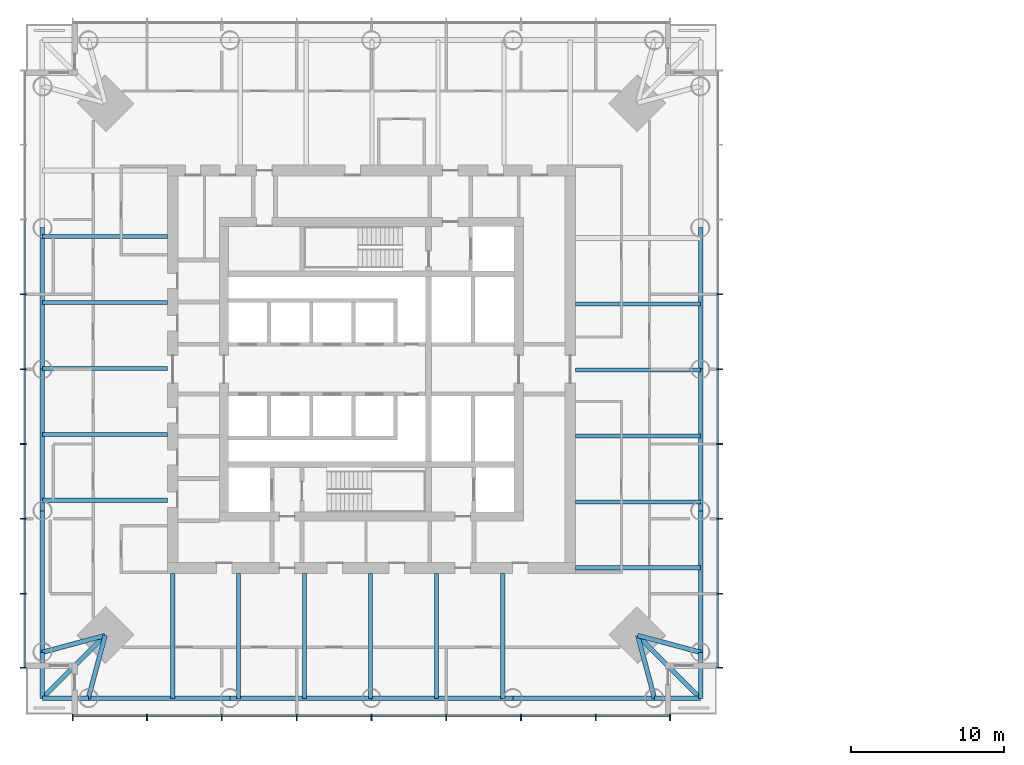
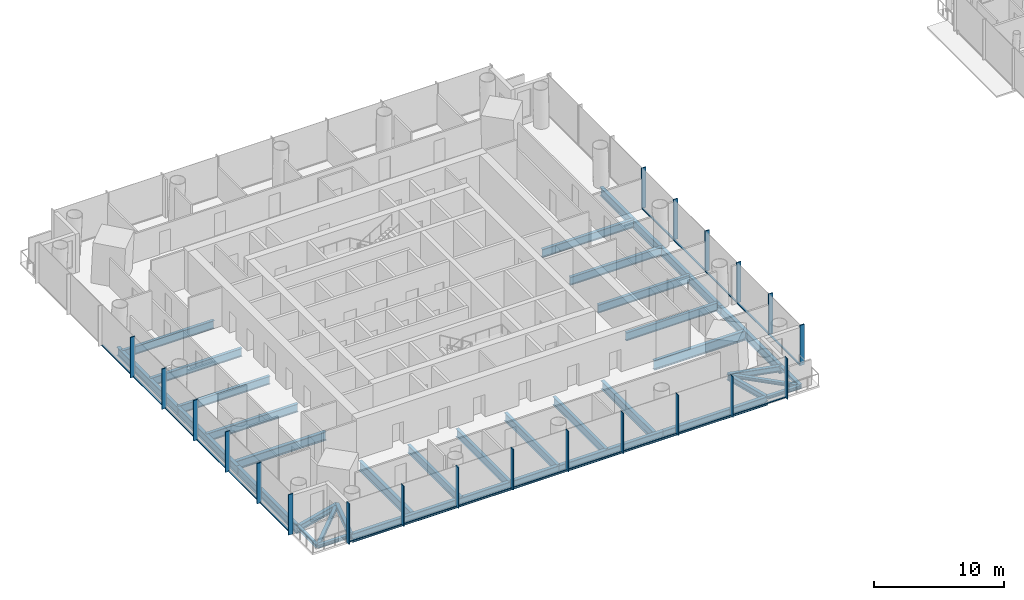
# One storey, part 2 of 20: 40 members, 36 beams, 3 elements without a shape of their own.
"""IFC4 building model written with IfcOpenShell, lengths in metres."""

from ifc_helpers import new_model, si_unit, direction, frame, origin, origin_2d, place, context, subcontext, project, spatial, rectangle, i_section, extrude, material, material_profile, profile_set, type_object, element, aggregate, save


model = new_model("IFC4")

# Units and contexts
model_context = context("Model", 3, precision=1e-05, world=origin(), true_north=direction((0.0, 1.0)))
body_context = subcontext(model_context, "Body", "Model", "MODEL_VIEW")
ifc_project = project(units=[si_unit("LENGTHUNIT", "METRE"), si_unit("AREAUNIT", "SQUARE_METRE"), si_unit("VOLUMEUNIT", "CUBIC_METRE"), si_unit("PLANEANGLEUNIT", "RADIAN"), si_unit("MASSUNIT", "GRAM", prefix="KILO")], contexts=[model_context])

# Site, building, storey
site_placement = place(None, origin())
site = spatial("IfcSite", under=ifc_project, at=site_placement, CompositionType="ELEMENT")
building_placement = place(site_placement, origin())
building = spatial("IfcBuilding", under=site, at=building_placement, Name="Ostroluk Exchange", CompositionType="ELEMENT")
storey_placement = place(building_placement, frame((0.0, 0.0, 100.800048828125)))
storey = spatial("IfcBuildingStorey", under=building, at=storey_placement, Name="L25", CompositionType="ELEMENT", Elevation=100.800048828125)

# Beams
ifc_material_1 = material(Name="Steel S355", Category="steel")
ifc_material_profile_1 = material_profile(ifc_material_1, i_section(OverallWidth=0.300048828125, OverallDepth=0.300048828125, WebThickness=0.010986328125, FlangeThickness=0.01904296875, FilletRadius=0.027099609375, at=origin_2d()), Name="HEB 300")
ifc_profile_set_1 = profile_set([ifc_material_profile_1], Name="Steel S355")
beam_type_1 = type_object("IfcBeamType", Name="Balcony beam HEB 300", PredefinedType="BEAM", material=ifc_profile_set_1)
for number, where, z_axis, x_axis, name in (
    (1, (23.550048828125, 27.550048828125, -0.330078125), (0.0, -1.0, 0.0), (1.0, 0.0, 0.0), "T1 west balcony beam a"),
    (2, (26.550048828125, 24.550048828125, -0.330078125), (-1.0, 0.0, 0.0), (0.0, -1.0, 0.0), "T1 west balcony beam b"),
):
    element("IfcBeam", number, at=place(storey_placement, frame(where, z_axis=z_axis, x_axis=x_axis)), inside=storey, type_object=beam_type_1, Name=name, PredefinedType="BEAM", context=body_context, shape_type="SweptSolid", body=[
        extrude(i_section(OverallWidth=0.300048828125, OverallDepth=0.300048828125, WebThickness=0.010986328125, FlangeThickness=0.01904296875, FilletRadius=0.027099609375, at=origin_2d()), origin(), (0.0, 0.0, 1.0), 3.0),
    ])
beam_1_placement = place(storey_placement, frame((27.64990234375, 28.64990234375, -0.330078125), z_axis=(-0.707106781187, -0.707106781187, 0.0), x_axis=(0.707106781187, -0.707106781187, 0.0)))
element("IfcBeam", 3, at=beam_1_placement, inside=storey, type_object=beam_type_1, Name="T1 west balcony beam c", PredefinedType="BEAM", context=body_context, shape_type="SweptSolid", body=[
    extrude(i_section(OverallWidth=0.300048828125, OverallDepth=0.300048828125, WebThickness=0.010986328125, FlangeThickness=0.01904296875, FilletRadius=0.027099609375, at=origin_2d()), origin(), (0.0, 0.0, 1.0), 5.798095703125),
])
for number, where, z_axis, x_axis, name in (
    (4, (63.449951171875, 24.550048828125, -0.330078125), (1.0, 0.0, 0.0), (0.0, 1.0, 0.0), "T1 south balcony beam a"),
    (5, (66.449951171875, 27.550048828125, -0.330078125), (0.0, -1.0, 0.0), (1.0, 0.0, 0.0), "T1 south balcony beam b"),
):
    element("IfcBeam", number, at=place(storey_placement, frame(where, z_axis=z_axis, x_axis=x_axis)), inside=storey, type_object=beam_type_1, Name=name, PredefinedType="BEAM", context=body_context, shape_type="SweptSolid", body=[
        extrude(i_section(OverallWidth=0.300048828125, OverallDepth=0.300048828125, WebThickness=0.010986328125, FlangeThickness=0.01904296875, FilletRadius=0.027099609375, at=origin_2d()), origin(), (0.0, 0.0, 1.0), 3.0),
    ])
beam_2_placement = place(storey_placement, frame((62.35009765625, 28.64990234375, -0.330078125), z_axis=(0.707106781187, -0.707106781187, 0.0), x_axis=(0.707106781187, 0.707106781187, 0.0)))
element("IfcBeam", 6, at=beam_2_placement, inside=storey, type_object=beam_type_1, Name="T1 south balcony beam c", PredefinedType="BEAM", context=body_context, shape_type="SweptSolid", body=[
    extrude(i_section(OverallWidth=0.300048828125, OverallDepth=0.300048828125, WebThickness=0.010986328125, FlangeThickness=0.01904296875, FilletRadius=0.027099609375, at=origin_2d()), origin(), (0.0, 0.0, 1.0), 5.798095703125),
])
ifc_material_2 = material(Name="Steel S355", Category="steel")
ifc_material_profile_2 = material_profile(ifc_material_2, i_section(OverallWidth=0.300048828125, OverallDepth=0.550048828125, WebThickness=0.014892578125, FlangeThickness=0.029052734375, FilletRadius=0.027099609375, at=origin_2d()), Name="HEB 550")
ifc_profile_set_2 = profile_set([ifc_material_profile_2], Name="Steel S355")
beam_type_2 = type_object("IfcBeamType", Name="Corner edge beam HEB 550", PredefinedType="SPANDREL", material=ifc_profile_set_2)
for number, where, z_axis, x_axis, name in (
    (7, (27.64990234375, 28.64990234375, -0.455078125), (-0.965849156574, -0.259105011038, 0.0), (0.259105011038, -0.965849156574, 0.0), "T1 west corner edge beam a"),
    (8, (27.64990234375, 28.64990234375, -0.455078125), (-0.259105011038, -0.965849156574, 0.0), (0.965849156574, -0.259105011038, 0.0), "T1 west corner edge beam b"),
    (9, (62.35009765625, 28.64990234375, -0.455078125), (0.259105011038, -0.965849156574, 0.0), (0.965849156574, 0.259105011038, 0.0), "T1 south corner edge beam a"),
    (10, (62.35009765625, 28.64990234375, -0.455078125), (0.965849156574, -0.259105011038, 0.0), (0.259105011038, 0.965849156574, 0.0), "T1 south corner edge beam b"),
):
    element("IfcBeam", number, at=place(storey_placement, frame(where, z_axis=z_axis, x_axis=x_axis)), inside=storey, type_object=beam_type_2, Name=name, PredefinedType="SPANDREL", context=body_context, shape_type="SweptSolid", body=[
        extrude(i_section(OverallWidth=0.300048828125, OverallDepth=0.550048828125, WebThickness=0.014892578125, FlangeThickness=0.029052734375, FilletRadius=0.027099609375, at=origin_2d()), origin(), (0.0, 0.0, 1.0), 4.244873046875),
    ])
ifc_material_3 = material(Name="Steel S355", Category="steel")
ifc_material_profile_3 = material_profile(ifc_material_3, i_section(OverallWidth=0.302978515625, OverallDepth=0.81396484375, WebThickness=0.02099609375, FlangeThickness=0.0400390625, FilletRadius=0.030029296875, at=origin_2d()), Name="HEM 800")
ifc_profile_set_3 = profile_set([ifc_material_profile_3], Name="Steel S355")
beam_type_3 = type_object("IfcBeamType", Name="Floor beam HEM 800", PredefinedType="BEAM", material=ifc_profile_set_3)
for number, where, z_axis, x_axis, name in (
    (11, (31.699951171875, 37.449951171875, -0.587158203125), (-1.0, 0.0, 0.0), (0.0, -1.0, 0.0), "T1 west floor beam 5"),
    (12, (53.550048828125, 32.699951171875, -0.587158203125), (0.0, -1.0, 0.0), (1.0, 0.0, 0.0), "T1 south floor beam 5"),
):
    element("IfcBeam", number, at=place(storey_placement, frame(where, z_axis=z_axis, x_axis=x_axis)), inside=storey, type_object=beam_type_3, Name=name, PredefinedType="BEAM", context=body_context, shape_type="SweptSolid", body=[
        extrude(i_section(OverallWidth=0.302978515625, OverallDepth=0.81396484375, WebThickness=0.02099609375, FlangeThickness=0.0400390625, FilletRadius=0.030029296875, at=origin_2d()), origin(), (0.0, 0.0, 1.0), 8.14990234375),
    ])
ifc_material_4 = material(Name="Steel S355", Category="steel")
ifc_material_profile_4 = material_profile(ifc_material_4, i_section(OverallWidth=0.26708984375, OverallDepth=0.761962890625, WebThickness=0.014404296875, FlangeThickness=0.021484375, FilletRadius=0.01708984375, at=origin_2d()), Name="IPE 750x173")
ifc_profile_set_4 = profile_set([ifc_material_profile_4], Name="Steel S355")
beam_type_4 = type_object("IfcBeamType", Name="Floor beam IPE 750x173", PredefinedType="BEAM", material=ifc_profile_set_4)
for number, where, z_axis, x_axis, name in (
    (13, (58.300048828125, 37.35009765625, -0.56103515625), (1.0, 0.0, 0.0), (0.0, 1.0, 0.0), "T1 east floor beam 1"),
    (14, (58.300048828125, 41.64990234375, -0.56103515625), (1.0, 0.0, 0.0), (0.0, 1.0, 0.0), "T1 east floor beam 2"),
    (15, (58.300048828125, 45.949951171875, -0.56103515625), (1.0, 0.0, 0.0), (0.0, 1.0, 0.0), "T1 east floor beam 3"),
    (16, (58.300048828125, 50.25, -0.56103515625), (1.0, 0.0, 0.0), (0.0, 1.0, 0.0), "T1 east floor beam 4"),
    (17, (31.699951171875, 54.64990234375, -0.56103515625), (-1.0, 0.0, 0.0), (0.0, -1.0, 0.0), "T1 west floor beam 1"),
    (18, (31.699951171875, 50.35009765625, -0.56103515625), (-1.0, 0.0, 0.0), (0.0, -1.0, 0.0), "T1 west floor beam 2"),
    (19, (31.699951171875, 46.050048828125, -0.56103515625), (-1.0, 0.0, 0.0), (0.0, -1.0, 0.0), "T1 west floor beam 3"),
    (20, (31.699951171875, 41.75, -0.56103515625), (-1.0, 0.0, 0.0), (0.0, -1.0, 0.0), "T1 west floor beam 4"),
    (21, (36.35009765625, 32.699951171875, -0.56103515625), (0.0, -1.0, 0.0), (1.0, 0.0, 0.0), "T1 south floor beam 1"),
    (22, (40.64990234375, 32.699951171875, -0.56103515625), (0.0, -1.0, 0.0), (1.0, 0.0, 0.0), "T1 south floor beam 2"),
    (23, (44.949951171875, 32.699951171875, -0.56103515625), (0.0, -1.0, 0.0), (1.0, 0.0, 0.0), "T1 south floor beam 3"),
    (24, (49.25, 32.699951171875, -0.56103515625), (0.0, -1.0, 0.0), (1.0, 0.0, 0.0), "T1 south floor beam 4"),
):
    element("IfcBeam", number, at=place(storey_placement, frame(where, z_axis=z_axis, x_axis=x_axis)), inside=storey, type_object=beam_type_4, Name=name, PredefinedType="BEAM", context=body_context, shape_type="SweptSolid", body=[
        extrude(i_section(OverallWidth=0.26708984375, OverallDepth=0.761962890625, WebThickness=0.014404296875, FlangeThickness=0.021484375, FilletRadius=0.01708984375, at=origin_2d()), origin(), (0.0, 0.0, 1.0), 8.14990234375),
    ])
ifc_material_5 = material(Name="Steel S355", Category="steel")
ifc_material_profile_5 = material_profile(ifc_material_5, i_section(OverallWidth=0.300048828125, OverallDepth=0.89990234375, WebThickness=0.0185546875, FlangeThickness=0.034912109375, FilletRadius=0.030029296875, at=origin_2d()), Name="HEB 900")
ifc_profile_set_5 = profile_set([ifc_material_profile_5], Name="Steel S355")
beam_type_5 = type_object("IfcBeamType", Name="Girder HEB 900", PredefinedType="BEAM", material=ifc_profile_set_5)
for number, where, z_axis, x_axis, name in (
    (25, (32.050048828125, 32.699951171875, -0.630126953125), (0.0, -1.0, 0.0), (1.0, 0.0, 0.0), "T1 west girder"),
    (26, (58.300048828125, 33.050048828125, -0.630126953125), (1.0, 0.0, 0.0), (0.0, 1.0, 0.0), "T1 south girder"),
):
    element("IfcBeam", number, at=place(storey_placement, frame(where, z_axis=z_axis, x_axis=x_axis)), inside=storey, type_object=beam_type_5, Name=name, PredefinedType="BEAM", context=body_context, shape_type="SweptSolid", body=[
        extrude(i_section(OverallWidth=0.300048828125, OverallDepth=0.89990234375, WebThickness=0.0185546875, FlangeThickness=0.034912109375, FilletRadius=0.030029296875, at=origin_2d()), origin(), (0.0, 0.0, 1.0), 8.14990234375),
    ])
ifc_material_6 = material(Name="Steel S355", Category="steel")
ifc_material_profile_6 = material_profile(ifc_material_6, i_section(OverallWidth=0.300048828125, OverallDepth=0.800048828125, WebThickness=0.017578125, FlangeThickness=0.032958984375, FilletRadius=0.030029296875, at=origin_2d()), Name="HEB 800")
ifc_profile_set_6 = profile_set([ifc_material_profile_6], Name="Steel S355")
beam_type_6 = type_object("IfcBeamType", Name="Moment-connected edge beam HEB 800", PredefinedType="SPANDREL", material=ifc_profile_set_6)
beam_3_placement = place(storey_placement, frame((66.449951171875, 27.550048828125, -0.580078125), z_axis=(0.0, 1.0, 0.0), x_axis=(-1.0, 0.0, 0.0)))
element("IfcBeam", 27, at=beam_3_placement, inside=storey, type_object=beam_type_6, Name="T1 east edge beam 1", PredefinedType="SPANDREL", context=body_context, shape_type="SweptSolid", body=[
    extrude(i_section(OverallWidth=0.300048828125, OverallDepth=0.800048828125, WebThickness=0.017578125, FlangeThickness=0.032958984375, FilletRadius=0.030029296875, at=origin_2d()), origin(), (0.0, 0.0, 1.0), 9.224853515625),
])
for number, where, z_axis, x_axis, name in (
    (28, (66.449951171875, 36.77490234375, -0.580078125), (0.0, 1.0, 0.0), (-1.0, 0.0, 0.0), "T1 east edge beam 2"),
    (29, (66.449951171875, 46.0, -0.580078125), (0.0, 1.0, 0.0), (-1.0, 0.0, 0.0), "T1 east edge beam 3"),
    (30, (23.550048828125, 55.22509765625, -0.580078125), (0.0, -1.0, 0.0), (1.0, 0.0, 0.0), "T1 west edge beam 2"),
    (31, (23.550048828125, 46.0, -0.580078125), (0.0, -1.0, 0.0), (1.0, 0.0, 0.0), "T1 west edge beam 3"),
):
    element("IfcBeam", number, at=place(storey_placement, frame(where, z_axis=z_axis, x_axis=x_axis)), inside=storey, type_object=beam_type_6, Name=name, PredefinedType="SPANDREL", context=body_context, shape_type="SweptSolid", body=[
        extrude(i_section(OverallWidth=0.300048828125, OverallDepth=0.800048828125, WebThickness=0.017578125, FlangeThickness=0.032958984375, FilletRadius=0.030029296875, at=origin_2d()), origin(), (0.0, 0.0, 1.0), 9.22509765625),
    ])
for number, where, z_axis, x_axis, name in (
    (32, (23.550048828125, 36.77490234375, -0.580078125), (0.0, -1.0, 0.0), (1.0, 0.0, 0.0), "T1 west edge beam 4"),
    (33, (26.550048828125, 24.550048828125, -0.580078125), (1.0, 0.0, 0.0), (0.0, 1.0, 0.0), "T1 south edge beam 1"),
):
    element("IfcBeam", number, at=place(storey_placement, frame(where, z_axis=z_axis, x_axis=x_axis)), inside=storey, type_object=beam_type_6, Name=name, PredefinedType="SPANDREL", context=body_context, shape_type="SweptSolid", body=[
        extrude(i_section(OverallWidth=0.300048828125, OverallDepth=0.800048828125, WebThickness=0.017578125, FlangeThickness=0.032958984375, FilletRadius=0.030029296875, at=origin_2d()), origin(), (0.0, 0.0, 1.0), 9.224853515625),
    ])
for number, where, z_axis, x_axis, name in (
    (34, (35.77490234375, 24.550048828125, -0.580078125), (1.0, 0.0, 0.0), (0.0, 1.0, 0.0), "T1 south edge beam 2"),
    (35, (45.0, 24.550048828125, -0.580078125), (1.0, 0.0, 0.0), (0.0, 1.0, 0.0), "T1 south edge beam 3"),
):
    element("IfcBeam", number, at=place(storey_placement, frame(where, z_axis=z_axis, x_axis=x_axis)), inside=storey, type_object=beam_type_6, Name=name, PredefinedType="SPANDREL", context=body_context, shape_type="SweptSolid", body=[
        extrude(i_section(OverallWidth=0.300048828125, OverallDepth=0.800048828125, WebThickness=0.017578125, FlangeThickness=0.032958984375, FilletRadius=0.030029296875, at=origin_2d()), origin(), (0.0, 0.0, 1.0), 9.22509765625),
    ])
beam_4_placement = place(storey_placement, frame((54.22509765625, 24.550048828125, -0.580078125), z_axis=(1.0, 0.0, 0.0), x_axis=(0.0, 1.0, 0.0)))
element("IfcBeam", 36, at=beam_4_placement, inside=storey, type_object=beam_type_6, Name="T1 south edge beam 4", PredefinedType="SPANDREL", context=body_context, shape_type="SweptSolid", body=[
    extrude(i_section(OverallWidth=0.300048828125, OverallDepth=0.800048828125, WebThickness=0.017578125, FlangeThickness=0.032958984375, FilletRadius=0.030029296875, at=origin_2d()), origin(), (0.0, 0.0, 1.0), 9.224853515625),
])

# Curtain wall, members
ifc_material_7 = material(Name="Laminated clear glass", Category="glass")
curtain_wall_type = type_object("IfcCurtainWallType", Name="Office tower facade", PredefinedType="USERDEFINED", material=ifc_material_7)
curtain_wall_1_placement = place(storey_placement, origin())
curtain_wall_1 = element("IfcCurtainWall", 37, at=curtain_wall_1_placement, inside=storey, type_object=curtain_wall_type, Name="Office tower south facade L25", ObjectType="UNITISED CURTAIN WALL", PredefinedType="USERDEFINED")
ifc_material_8 = material(Name="Aluminium mullion", Category="aluminium")
ifc_material_profile_7 = material_profile(ifc_material_8, rectangle(XDim=0.14990234375, YDim=0.080078125, at=origin_2d()), Name="Sill transom 80 x 150")
ifc_profile_set_7 = profile_set([ifc_material_profile_7], Name="Aluminium mullion")
member_type_1 = type_object("IfcMemberType", Name="Sill transom 80 x 150", PredefinedType="USERDEFINED", material=ifc_profile_set_7)
member_1_placement = place(storey_placement, frame((25.580078125, 23.425048828125, 0.0400390625), z_axis=(1.0, 0.0, 0.0), x_axis=(0.0, 1.0, 0.0)))
member_1 = element("IfcMember", 38, at=member_1_placement, type_object=member_type_1, Name="CW-O1 transom 1.1", ObjectType="TRANSOM", PredefinedType="USERDEFINED", context=body_context, shape_type="SweptSolid", body=[
    extrude(rectangle(XDim=0.14990234375, YDim=0.080078125, at=origin_2d()), origin(), (0.0, 0.0, 1.0), 4.7548828125),
])
member_2_placement = place(storey_placement, frame((30.4150390625, 23.425048828125, 0.0400390625), z_axis=(1.0, 0.0, 0.0), x_axis=(0.0, 1.0, 0.0)))
member_2 = element("IfcMember", 39, at=member_2_placement, type_object=member_type_1, Name="CW-O1 transom 2.1", ObjectType="TRANSOM", PredefinedType="USERDEFINED", context=body_context, shape_type="SweptSolid", body=[
    extrude(rectangle(XDim=0.14990234375, YDim=0.080078125, at=origin_2d()), origin(), (0.0, 0.0, 1.0), 4.794921875),
])
member_3_placement = place(storey_placement, frame((35.2900390625, 23.425048828125, 0.0400390625), z_axis=(1.0, 0.0, 0.0), x_axis=(0.0, 1.0, 0.0)))
member_3 = element("IfcMember", 40, at=member_3_placement, type_object=member_type_1, Name="CW-O1 transom 3.1", ObjectType="TRANSOM", PredefinedType="USERDEFINED", context=body_context, shape_type="SweptSolid", body=[
    extrude(rectangle(XDim=0.14990234375, YDim=0.080078125, at=origin_2d()), origin(), (0.0, 0.0, 1.0), 4.794921875),
])
member_4_placement = place(storey_placement, frame((40.1650390625, 23.425048828125, 0.0400390625), z_axis=(1.0, 0.0, 0.0), x_axis=(0.0, 1.0, 0.0)))
member_4 = element("IfcMember", 41, at=member_4_placement, type_object=member_type_1, Name="CW-O1 transom 4.1", ObjectType="TRANSOM", PredefinedType="USERDEFINED", context=body_context, shape_type="SweptSolid", body=[
    extrude(rectangle(XDim=0.14990234375, YDim=0.080078125, at=origin_2d()), origin(), (0.0, 0.0, 1.0), 4.794921875),
])
member_5_placement = place(storey_placement, frame((45.0400390625, 23.425048828125, 0.0400390625), z_axis=(1.0, 0.0, 0.0), x_axis=(0.0, 1.0, 0.0)))
member_5 = element("IfcMember", 42, at=member_5_placement, type_object=member_type_1, Name="CW-O1 transom 5.1", ObjectType="TRANSOM", PredefinedType="USERDEFINED", context=body_context, shape_type="SweptSolid", body=[
    extrude(rectangle(XDim=0.14990234375, YDim=0.080078125, at=origin_2d()), origin(), (0.0, 0.0, 1.0), 4.794921875),
])
member_6_placement = place(storey_placement, frame((49.9150390625, 23.425048828125, 0.0400390625), z_axis=(1.0, 0.0, 0.0), x_axis=(0.0, 1.0, 0.0)))
member_6 = element("IfcMember", 43, at=member_6_placement, type_object=member_type_1, Name="CW-O1 transom 6.1", ObjectType="TRANSOM", PredefinedType="USERDEFINED", context=body_context, shape_type="SweptSolid", body=[
    extrude(rectangle(XDim=0.14990234375, YDim=0.080078125, at=origin_2d()), origin(), (0.0, 0.0, 1.0), 4.794921875),
])
member_7_placement = place(storey_placement, frame((54.7900390625, 23.425048828125, 0.0400390625), z_axis=(1.0, 0.0, 0.0), x_axis=(0.0, 1.0, 0.0)))
member_7 = element("IfcMember", 44, at=member_7_placement, type_object=member_type_1, Name="CW-O1 transom 7.1", ObjectType="TRANSOM", PredefinedType="USERDEFINED", context=body_context, shape_type="SweptSolid", body=[
    extrude(rectangle(XDim=0.14990234375, YDim=0.080078125, at=origin_2d()), origin(), (0.0, 0.0, 1.0), 4.794921875),
])
member_8_placement = place(storey_placement, frame((59.6650390625, 23.425048828125, 0.0400390625), z_axis=(1.0, 0.0, 0.0), x_axis=(0.0, 1.0, 0.0)))
member_8 = element("IfcMember", 45, at=member_8_placement, type_object=member_type_1, Name="CW-O1 transom 8.1", ObjectType="TRANSOM", PredefinedType="USERDEFINED", context=body_context, shape_type="SweptSolid", body=[
    extrude(rectangle(XDim=0.14990234375, YDim=0.080078125, at=origin_2d()), origin(), (0.0, 0.0, 1.0), 4.7548828125),
])

curtain_wall_2_placement = place(storey_placement, origin())
curtain_wall_2 = element("IfcCurtainWall", 46, at=curtain_wall_2_placement, inside=storey, type_object=curtain_wall_type, Name="Office tower east facade L25", ObjectType="UNITISED CURTAIN WALL", PredefinedType="USERDEFINED")
member_9_placement = place(storey_placement, frame((67.574951171875, 26.580078125, 0.0400390625), z_axis=(0.0, 1.0, 0.0), x_axis=(-1.0, 0.0, 0.0)))
member_9 = element("IfcMember", 47, at=member_9_placement, type_object=member_type_1, Name="CW-O1 transom 1.1", ObjectType="TRANSOM", PredefinedType="USERDEFINED", context=body_context, shape_type="SweptSolid", body=[
    extrude(rectangle(XDim=0.14990234375, YDim=0.080078125, at=origin_2d()), origin(), (0.0, 0.0, 1.0), 4.7548828125),
])
member_10_placement = place(storey_placement, frame((67.574951171875, 31.4150390625, 0.0400390625), z_axis=(0.0, 1.0, 0.0), x_axis=(-1.0, 0.0, 0.0)))
member_10 = element("IfcMember", 48, at=member_10_placement, type_object=member_type_1, Name="CW-O1 transom 2.1", ObjectType="TRANSOM", PredefinedType="USERDEFINED", context=body_context, shape_type="SweptSolid", body=[
    extrude(rectangle(XDim=0.14990234375, YDim=0.080078125, at=origin_2d()), origin(), (0.0, 0.0, 1.0), 4.794921875),
])
member_11_placement = place(storey_placement, frame((67.574951171875, 36.2900390625, 0.0400390625), z_axis=(0.0, 1.0, 0.0), x_axis=(-1.0, 0.0, 0.0)))
member_11 = element("IfcMember", 49, at=member_11_placement, type_object=member_type_1, Name="CW-O1 transom 3.1", ObjectType="TRANSOM", PredefinedType="USERDEFINED", context=body_context, shape_type="SweptSolid", body=[
    extrude(rectangle(XDim=0.14990234375, YDim=0.080078125, at=origin_2d()), origin(), (0.0, 0.0, 1.0), 4.794921875),
])
member_12_placement = place(storey_placement, frame((67.574951171875, 41.1650390625, 0.0400390625), z_axis=(0.0, 1.0, 0.0), x_axis=(-1.0, 0.0, 0.0)))
member_12 = element("IfcMember", 50, at=member_12_placement, type_object=member_type_1, Name="CW-O1 transom 4.1", ObjectType="TRANSOM", PredefinedType="USERDEFINED", context=body_context, shape_type="SweptSolid", body=[
    extrude(rectangle(XDim=0.14990234375, YDim=0.080078125, at=origin_2d()), origin(), (0.0, 0.0, 1.0), 4.794921875),
])
member_13_placement = place(storey_placement, frame((67.574951171875, 46.0400390625, 0.0400390625), z_axis=(0.0, 1.0, 0.0), x_axis=(-1.0, 0.0, 0.0)))
member_13 = element("IfcMember", 51, at=member_13_placement, type_object=member_type_1, Name="CW-O1 transom 5.1", ObjectType="TRANSOM", PredefinedType="USERDEFINED", context=body_context, shape_type="SweptSolid", body=[
    extrude(rectangle(XDim=0.14990234375, YDim=0.080078125, at=origin_2d()), origin(), (0.0, 0.0, 1.0), 4.794921875),
])

curtain_wall_3_placement = place(storey_placement, origin())
curtain_wall_3 = element("IfcCurtainWall", 52, at=curtain_wall_3_placement, inside=storey, type_object=curtain_wall_type, Name="Office tower west facade L25", ObjectType="UNITISED CURTAIN WALL", PredefinedType="USERDEFINED")
member_14_placement = place(storey_placement, frame((22.425048828125, 55.7099609375, 0.0400390625), z_axis=(0.0, -1.0, 0.0), x_axis=(1.0, 0.0, 0.0)))
member_14 = element("IfcMember", 53, at=member_14_placement, type_object=member_type_1, Name="CW-O1 transom 3.1", ObjectType="TRANSOM", PredefinedType="USERDEFINED", context=body_context, shape_type="SweptSolid", body=[
    extrude(rectangle(XDim=0.14990234375, YDim=0.080078125, at=origin_2d()), origin(), (0.0, 0.0, 1.0), 4.794921875),
])
member_15_placement = place(storey_placement, frame((22.425048828125, 50.8349609375, 0.0400390625), z_axis=(0.0, -1.0, 0.0), x_axis=(1.0, 0.0, 0.0)))
member_15 = element("IfcMember", 54, at=member_15_placement, type_object=member_type_1, Name="CW-O1 transom 4.1", ObjectType="TRANSOM", PredefinedType="USERDEFINED", context=body_context, shape_type="SweptSolid", body=[
    extrude(rectangle(XDim=0.14990234375, YDim=0.080078125, at=origin_2d()), origin(), (0.0, 0.0, 1.0), 4.794921875),
])
member_16_placement = place(storey_placement, frame((22.425048828125, 45.9599609375, 0.0400390625), z_axis=(0.0, -1.0, 0.0), x_axis=(1.0, 0.0, 0.0)))
member_16 = element("IfcMember", 55, at=member_16_placement, type_object=member_type_1, Name="CW-O1 transom 5.1", ObjectType="TRANSOM", PredefinedType="USERDEFINED", context=body_context, shape_type="SweptSolid", body=[
    extrude(rectangle(XDim=0.14990234375, YDim=0.080078125, at=origin_2d()), origin(), (0.0, 0.0, 1.0), 4.794921875),
])
member_17_placement = place(storey_placement, frame((22.425048828125, 41.0849609375, 0.0400390625), z_axis=(0.0, -1.0, 0.0), x_axis=(1.0, 0.0, 0.0)))
member_17 = element("IfcMember", 56, at=member_17_placement, type_object=member_type_1, Name="CW-O1 transom 6.1", ObjectType="TRANSOM", PredefinedType="USERDEFINED", context=body_context, shape_type="SweptSolid", body=[
    extrude(rectangle(XDim=0.14990234375, YDim=0.080078125, at=origin_2d()), origin(), (0.0, 0.0, 1.0), 4.794921875),
])
member_18_placement = place(storey_placement, frame((22.425048828125, 36.2099609375, 0.0400390625), z_axis=(0.0, -1.0, 0.0), x_axis=(1.0, 0.0, 0.0)))
member_18 = element("IfcMember", 57, at=member_18_placement, type_object=member_type_1, Name="CW-O1 transom 7.1", ObjectType="TRANSOM", PredefinedType="USERDEFINED", context=body_context, shape_type="SweptSolid", body=[
    extrude(rectangle(XDim=0.14990234375, YDim=0.080078125, at=origin_2d()), origin(), (0.0, 0.0, 1.0), 4.794921875),
])
member_19_placement = place(storey_placement, frame((22.425048828125, 31.3349609375, 0.0400390625), z_axis=(0.0, -1.0, 0.0), x_axis=(1.0, 0.0, 0.0)))
member_19 = element("IfcMember", 58, at=member_19_placement, type_object=member_type_1, Name="CW-O1 transom 8.1", ObjectType="TRANSOM", PredefinedType="USERDEFINED", context=body_context, shape_type="SweptSolid", body=[
    extrude(rectangle(XDim=0.14990234375, YDim=0.080078125, at=origin_2d()), origin(), (0.0, 0.0, 1.0), 4.7548828125),
])

# Member
ifc_material_9 = material(Name="Aluminium mullion with limestone facing", Category="masonry")
ifc_material_profile_8 = material_profile(ifc_material_9, rectangle(XDim=0.39990234375, YDim=0.080078125, at=origin_2d()), Name="Tracery mullion 80 x 400")
ifc_profile_set_8 = profile_set([ifc_material_profile_8], Name="Aluminium mullion with limestone facing")
member_type_2 = type_object("IfcMemberType", Name="Tracery mullion 80 x 400", PredefinedType="MULLION", material=ifc_profile_set_8)
member_20_placement = place(storey_placement, frame((25.5400390625, 23.300048828125, 0.0), z_axis=(0.0, 0.0, 1.0), x_axis=(0.0, 1.0, 0.0)))
member_20 = element("IfcMember", 59, at=member_20_placement, type_object=member_type_2, Name="CW-O1 mullion 1", PredefinedType="MULLION", context=body_context, shape_type="SweptSolid", body=[
    extrude(rectangle(XDim=0.39990234375, YDim=0.080078125, at=origin_2d()), origin(), (0.0, 0.0, 1.0), 3.800048828125),
])

member_21_placement = place(storey_placement, frame((30.375, 23.300048828125, 0.0), z_axis=(0.0, 0.0, 1.0), x_axis=(0.0, 1.0, 0.0)))
member_21 = element("IfcMember", 60, at=member_21_placement, type_object=member_type_2, Name="CW-O1 mullion 2", PredefinedType="MULLION", context=body_context, shape_type="SweptSolid", body=[
    extrude(rectangle(XDim=0.39990234375, YDim=0.080078125, at=origin_2d()), origin(), (0.0, 0.0, 1.0), 3.800048828125),
])

member_22_placement = place(storey_placement, frame((35.25, 23.300048828125, 0.0), z_axis=(0.0, 0.0, 1.0), x_axis=(0.0, 1.0, 0.0)))
member_22 = element("IfcMember", 61, at=member_22_placement, type_object=member_type_2, Name="CW-O1 mullion 3", PredefinedType="MULLION", context=body_context, shape_type="SweptSolid", body=[
    extrude(rectangle(XDim=0.39990234375, YDim=0.080078125, at=origin_2d()), origin(), (0.0, 0.0, 1.0), 3.800048828125),
])

member_23_placement = place(storey_placement, frame((40.125, 23.300048828125, 0.0), z_axis=(0.0, 0.0, 1.0), x_axis=(0.0, 1.0, 0.0)))
member_23 = element("IfcMember", 62, at=member_23_placement, type_object=member_type_2, Name="CW-O1 mullion 4", PredefinedType="MULLION", context=body_context, shape_type="SweptSolid", body=[
    extrude(rectangle(XDim=0.39990234375, YDim=0.080078125, at=origin_2d()), origin(), (0.0, 0.0, 1.0), 3.800048828125),
])

member_24_placement = place(storey_placement, frame((45.0, 23.300048828125, 0.0), z_axis=(0.0, 0.0, 1.0), x_axis=(0.0, 1.0, 0.0)))
member_24 = element("IfcMember", 63, at=member_24_placement, type_object=member_type_2, Name="CW-O1 mullion 5", PredefinedType="MULLION", context=body_context, shape_type="SweptSolid", body=[
    extrude(rectangle(XDim=0.39990234375, YDim=0.080078125, at=origin_2d()), origin(), (0.0, 0.0, 1.0), 3.800048828125),
])

member_25_placement = place(storey_placement, frame((49.875, 23.300048828125, 0.0), z_axis=(0.0, 0.0, 1.0), x_axis=(0.0, 1.0, 0.0)))
member_25 = element("IfcMember", 64, at=member_25_placement, type_object=member_type_2, Name="CW-O1 mullion 6", PredefinedType="MULLION", context=body_context, shape_type="SweptSolid", body=[
    extrude(rectangle(XDim=0.39990234375, YDim=0.080078125, at=origin_2d()), origin(), (0.0, 0.0, 1.0), 3.800048828125),
])

member_26_placement = place(storey_placement, frame((54.75, 23.300048828125, 0.0), z_axis=(0.0, 0.0, 1.0), x_axis=(0.0, 1.0, 0.0)))
member_26 = element("IfcMember", 65, at=member_26_placement, type_object=member_type_2, Name="CW-O1 mullion 7", PredefinedType="MULLION", context=body_context, shape_type="SweptSolid", body=[
    extrude(rectangle(XDim=0.39990234375, YDim=0.080078125, at=origin_2d()), origin(), (0.0, 0.0, 1.0), 3.800048828125),
])

member_27_placement = place(storey_placement, frame((59.625, 23.300048828125, 0.0), z_axis=(0.0, 0.0, 1.0), x_axis=(0.0, 1.0, 0.0)))
member_27 = element("IfcMember", 66, at=member_27_placement, type_object=member_type_2, Name="CW-O1 mullion 8", PredefinedType="MULLION", context=body_context, shape_type="SweptSolid", body=[
    extrude(rectangle(XDim=0.39990234375, YDim=0.080078125, at=origin_2d()), origin(), (0.0, 0.0, 1.0), 3.800048828125),
])

member_28_placement = place(storey_placement, frame((64.4599609375, 23.300048828125, 0.0), z_axis=(0.0, 0.0, 1.0), x_axis=(0.0, 1.0, 0.0)))
member_28 = element("IfcMember", 67, at=member_28_placement, type_object=member_type_2, Name="CW-O1 mullion 9", PredefinedType="MULLION", context=body_context, shape_type="SweptSolid", body=[
    extrude(rectangle(XDim=0.39990234375, YDim=0.080078125, at=origin_2d()), origin(), (0.0, 0.0, 1.0), 3.800048828125),
])

aggregate(curtain_wall_1, [member_20, member_21, member_22, member_23, member_24, member_25, member_26, member_27, member_28, member_1, member_2, member_3, member_4, member_5, member_6, member_7, member_8])

member_29_placement = place(storey_placement, frame((67.699951171875, 26.5400390625, 0.0), z_axis=(0.0, 0.0, 1.0), x_axis=(-1.0, 0.0, 0.0)))
member_29 = element("IfcMember", 68, at=member_29_placement, type_object=member_type_2, Name="CW-O1 mullion 1", PredefinedType="MULLION", context=body_context, shape_type="SweptSolid", body=[
    extrude(rectangle(XDim=0.39990234375, YDim=0.080078125, at=origin_2d()), origin(), (0.0, 0.0, 1.0), 3.800048828125),
])

member_30_placement = place(storey_placement, frame((67.699951171875, 31.375, 0.0), z_axis=(0.0, 0.0, 1.0), x_axis=(-1.0, 0.0, 0.0)))
member_30 = element("IfcMember", 69, at=member_30_placement, type_object=member_type_2, Name="CW-O1 mullion 2", PredefinedType="MULLION", context=body_context, shape_type="SweptSolid", body=[
    extrude(rectangle(XDim=0.39990234375, YDim=0.080078125, at=origin_2d()), origin(), (0.0, 0.0, 1.0), 3.800048828125),
])

member_31_placement = place(storey_placement, frame((67.699951171875, 36.25, 0.0), z_axis=(0.0, 0.0, 1.0), x_axis=(-1.0, 0.0, 0.0)))
member_31 = element("IfcMember", 70, at=member_31_placement, type_object=member_type_2, Name="CW-O1 mullion 3", PredefinedType="MULLION", context=body_context, shape_type="SweptSolid", body=[
    extrude(rectangle(XDim=0.39990234375, YDim=0.080078125, at=origin_2d()), origin(), (0.0, 0.0, 1.0), 3.800048828125),
])

member_32_placement = place(storey_placement, frame((67.699951171875, 41.125, 0.0), z_axis=(0.0, 0.0, 1.0), x_axis=(-1.0, 0.0, 0.0)))
member_32 = element("IfcMember", 71, at=member_32_placement, type_object=member_type_2, Name="CW-O1 mullion 4", PredefinedType="MULLION", context=body_context, shape_type="SweptSolid", body=[
    extrude(rectangle(XDim=0.39990234375, YDim=0.080078125, at=origin_2d()), origin(), (0.0, 0.0, 1.0), 3.800048828125),
])

member_33_placement = place(storey_placement, frame((67.699951171875, 46.0, 0.0), z_axis=(0.0, 0.0, 1.0), x_axis=(-1.0, 0.0, 0.0)))
member_33 = element("IfcMember", 72, at=member_33_placement, type_object=member_type_2, Name="CW-O1 mullion 5", PredefinedType="MULLION", context=body_context, shape_type="SweptSolid", body=[
    extrude(rectangle(XDim=0.39990234375, YDim=0.080078125, at=origin_2d()), origin(), (0.0, 0.0, 1.0), 3.800048828125),
])

member_34_placement = place(storey_placement, frame((67.699951171875, 50.875, 0.0), z_axis=(0.0, 0.0, 1.0), x_axis=(-1.0, 0.0, 0.0)))
member_34 = element("IfcMember", 73, at=member_34_placement, type_object=member_type_2, Name="CW-O1 mullion 6", PredefinedType="MULLION", context=body_context, shape_type="SweptSolid", body=[
    extrude(rectangle(XDim=0.39990234375, YDim=0.080078125, at=origin_2d()), origin(), (0.0, 0.0, 1.0), 3.800048828125),
])

aggregate(curtain_wall_2, [member_29, member_30, member_31, member_32, member_33, member_34, member_9, member_10, member_11, member_12, member_13])

member_35_placement = place(storey_placement, frame((22.300048828125, 50.875, 0.0), z_axis=(0.0, 0.0, 1.0), x_axis=(1.0, 0.0, 0.0)))
member_35 = element("IfcMember", 74, at=member_35_placement, type_object=member_type_2, Name="CW-O1 mullion 4", PredefinedType="MULLION", context=body_context, shape_type="SweptSolid", body=[
    extrude(rectangle(XDim=0.39990234375, YDim=0.080078125, at=origin_2d()), origin(), (0.0, 0.0, 1.0), 3.800048828125),
])

member_36_placement = place(storey_placement, frame((22.300048828125, 46.0, 0.0), z_axis=(0.0, 0.0, 1.0), x_axis=(1.0, 0.0, 0.0)))
member_36 = element("IfcMember", 75, at=member_36_placement, type_object=member_type_2, Name="CW-O1 mullion 5", PredefinedType="MULLION", context=body_context, shape_type="SweptSolid", body=[
    extrude(rectangle(XDim=0.39990234375, YDim=0.080078125, at=origin_2d()), origin(), (0.0, 0.0, 1.0), 3.800048828125),
])

member_37_placement = place(storey_placement, frame((22.300048828125, 41.125, 0.0), z_axis=(0.0, 0.0, 1.0), x_axis=(1.0, 0.0, 0.0)))
member_37 = element("IfcMember", 76, at=member_37_placement, type_object=member_type_2, Name="CW-O1 mullion 6", PredefinedType="MULLION", context=body_context, shape_type="SweptSolid", body=[
    extrude(rectangle(XDim=0.39990234375, YDim=0.080078125, at=origin_2d()), origin(), (0.0, 0.0, 1.0), 3.800048828125),
])

member_38_placement = place(storey_placement, frame((22.300048828125, 36.25, 0.0), z_axis=(0.0, 0.0, 1.0), x_axis=(1.0, 0.0, 0.0)))
member_38 = element("IfcMember", 77, at=member_38_placement, type_object=member_type_2, Name="CW-O1 mullion 7", PredefinedType="MULLION", context=body_context, shape_type="SweptSolid", body=[
    extrude(rectangle(XDim=0.39990234375, YDim=0.080078125, at=origin_2d()), origin(), (0.0, 0.0, 1.0), 3.800048828125),
])

member_39_placement = place(storey_placement, frame((22.300048828125, 31.375, 0.0), z_axis=(0.0, 0.0, 1.0), x_axis=(1.0, 0.0, 0.0)))
member_39 = element("IfcMember", 78, at=member_39_placement, type_object=member_type_2, Name="CW-O1 mullion 8", PredefinedType="MULLION", context=body_context, shape_type="SweptSolid", body=[
    extrude(rectangle(XDim=0.39990234375, YDim=0.080078125, at=origin_2d()), origin(), (0.0, 0.0, 1.0), 3.800048828125),
])

member_40_placement = place(storey_placement, frame((22.300048828125, 26.5400390625, 0.0), z_axis=(0.0, 0.0, 1.0), x_axis=(1.0, 0.0, 0.0)))
member_40 = element("IfcMember", 79, at=member_40_placement, type_object=member_type_2, Name="CW-O1 mullion 9", PredefinedType="MULLION", context=body_context, shape_type="SweptSolid", body=[
    extrude(rectangle(XDim=0.39990234375, YDim=0.080078125, at=origin_2d()), origin(), (0.0, 0.0, 1.0), 3.800048828125),
])

aggregate(curtain_wall_3, [member_35, member_36, member_37, member_38, member_39, member_40, member_14, member_15, member_16, member_17, member_18, member_19])

save(model, "model.ifc")
